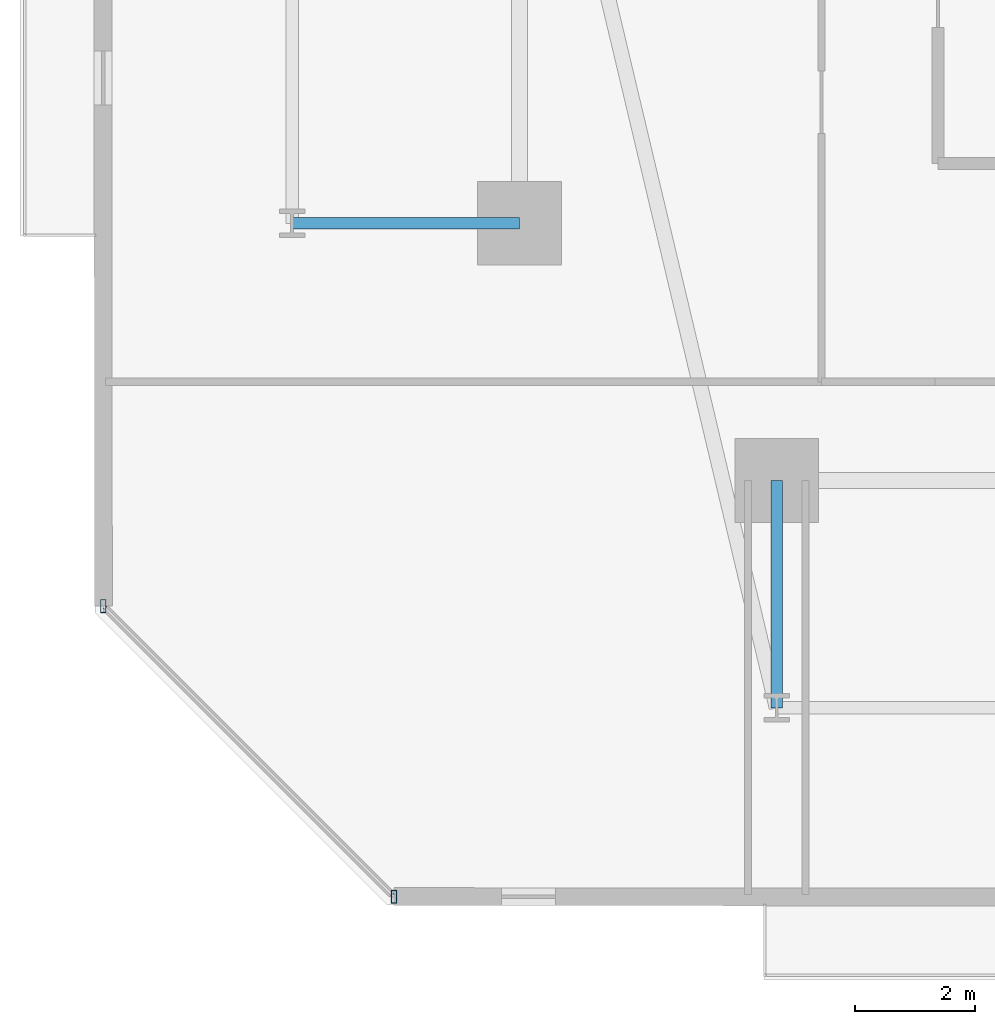
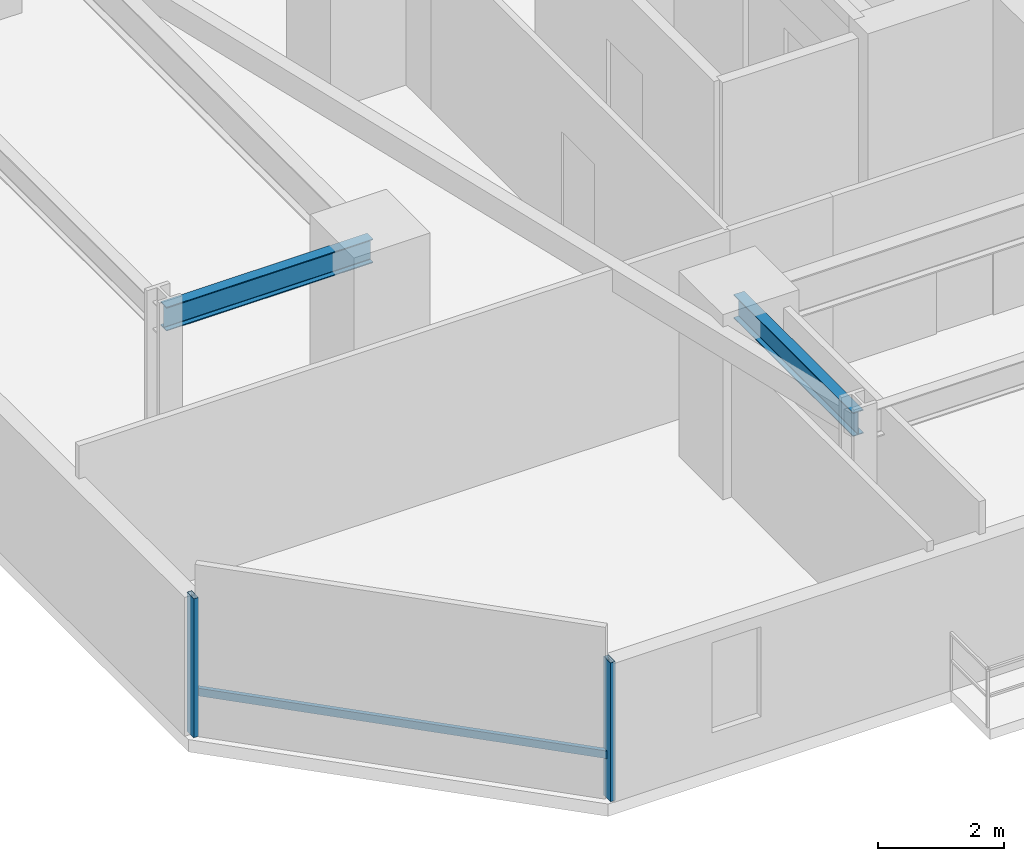
# One storey, part 3 of 33: 3 members, 2 beams, 1 element without a shape of its own.
"""IFC4 building model written with IfcOpenShell, lengths in metres."""

from ifc_helpers import new_model, si_unit, direction, frame, origin, origin_2d, place, context, subcontext, project, spatial, hollow_rectangle, i_section, extrude, material, material_profile, profile_set, type_object, element, aggregate, save


model = new_model("IFC4")

# Units and contexts
model_context = context("Model", 3, precision=1e-05, world=origin(), true_north=direction((0.0, 1.0)))
body_context = subcontext(model_context, "Body", "Model", "MODEL_VIEW")
ifc_project = project(units=[si_unit("LENGTHUNIT", "METRE"), si_unit("AREAUNIT", "SQUARE_METRE"), si_unit("VOLUMEUNIT", "CUBIC_METRE"), si_unit("PLANEANGLEUNIT", "RADIAN"), si_unit("MASSUNIT", "GRAM", prefix="KILO")], contexts=[model_context])

# Site, building, storey
site_placement = place(None, origin())
site = spatial("IfcSite", under=ifc_project, at=site_placement, CompositionType="ELEMENT")
building_placement = place(site_placement, origin())
building = spatial("IfcBuilding", under=site, at=building_placement, Name="Thornwick Lancets Civic Towers", CompositionType="ELEMENT")
storey_placement = place(building_placement, frame((0.0, 0.0, 42.300048828125)))
storey = spatial("IfcBuildingStorey", under=building, at=storey_placement, Name="L10", CompositionType="ELEMENT", Elevation=42.300048828125)

# Beams
ifc_material_1 = material(Name="Steel S355JR", Category="steel")
ifc_material_profile_1 = material_profile(ifc_material_1, i_section(OverallWidth=0.19189453125, OverallDepth=0.46337890625, WebThickness=0.010498046875, FlangeThickness=0.017578125, FilletRadius=0.01025390625, at=origin_2d()), Name="UKB 457x191x89")
ifc_profile_set_1 = profile_set([ifc_material_profile_1], Name="Steel S355JR")
beam_type = type_object("IfcBeamType", Name="BM_JOIST_457_89", PredefinedType="JOIST", material=ifc_profile_set_1)
for number, where, z_axis, x_axis, name in (
    (1, (12.5, 9.699951171875, 3.128173828125), (0.0, -1.0, 0.0), (1.0, 0.0, 0.0), "BM-RAD-L10-A01"),
    (2, (8.199951171875, 14.0, 3.128173828125), (-1.0, 0.0, 0.0), (0.0, -1.0, 0.0), "BM-RAD-L10-A10"),
):
    element("IfcBeam", number, at=place(storey_placement, frame(where, z_axis=z_axis, x_axis=x_axis)), inside=storey, type_object=beam_type, Name=name, PredefinedType="JOIST", context=body_context, shape_type="SweptSolid", body=[
        extrude(i_section(OverallWidth=0.19189453125, OverallDepth=0.46337890625, WebThickness=0.010498046875, FlangeThickness=0.017578125, FilletRadius=0.01025390625, at=origin_2d()), origin(), (0.0, 0.0, 1.0), 3.800048828125),
    ])

# Curtain wall, members
ifc_material_2 = material(Name="Low-zone chamfered-corner unitised glass curtain wall", Category="glass")
curtain_wall_type = type_object("IfcCurtainWallType", Name="CW_SYS_03", PredefinedType="NOTDEFINED", material=ifc_material_2)
curtain_wall_placement = place(storey_placement, origin())
curtain_wall = element("IfcCurtainWall", 3, at=curtain_wall_placement, inside=storey, type_object=curtain_wall_type, Name="L10 Curtain Wall CW-L10-A-E7", PredefinedType="NOTDEFINED")
ifc_material_3 = material(Name="Thermally broken bronze aluminium S355", Category="steel")
ifc_material_profile_2 = material_profile(ifc_material_3, hollow_rectangle(XDim=0.090087890625, YDim=0.219970703125, WallThickness=0.00634765625, at=origin_2d()), Name="RHS 220x90x6.3")
ifc_profile_set_2 = profile_set([ifc_material_profile_2], Name="Thermally broken bronze aluminium S355")
member_type_1 = type_object("IfcMemberType", Name="CW_MUL_220", PredefinedType="MULLION", material=ifc_profile_set_2)
member_1_placement = place(storey_placement, frame((1.242431640625, 7.600830078125, 0.0), z_axis=(0.0, 0.0, 1.0), x_axis=(1.0, 0.0, 0.0)))
member_1 = element("IfcMember", 4, at=member_1_placement, type_object=member_type_1, Name="CW-L10-A-E7 Mullion 0", PredefinedType="MULLION", context=body_context, shape_type="SweptSolid", body=[
    extrude(hollow_rectangle(XDim=0.090087890625, YDim=0.219970703125, WallThickness=0.00634765625, at=origin_2d()), origin(), (0.0, 0.0, 1.0), 2.699951171875),
])
member_2_placement = place(storey_placement, frame((6.100830078125, 2.742431640625, 0.0), z_axis=(0.0, 0.0, 1.0), x_axis=(1.0, 0.0, 0.0)))
member_2 = element("IfcMember", 5, at=member_2_placement, type_object=member_type_1, Name="CW-L10-A-E7 Mullion 1", PredefinedType="MULLION", context=body_context, shape_type="SweptSolid", body=[
    extrude(hollow_rectangle(XDim=0.090087890625, YDim=0.219970703125, WallThickness=0.00634765625, at=origin_2d()), origin(), (0.0, 0.0, 1.0), 2.699951171875),
])
ifc_material_profile_3 = material_profile(ifc_material_3, hollow_rectangle(XDim=0.074951171875, YDim=0.14990234375, WallThickness=0.0048828125, at=origin_2d()), Name="RHS 150x75x5")
ifc_profile_set_3 = profile_set([ifc_material_profile_3], Name="Thermally broken bronze aluminium S355")
member_type_2 = type_object("IfcMemberType", Name="CW_TRN_150", PredefinedType="USERDEFINED", material=ifc_profile_set_3)
member_3_placement = place(storey_placement, frame((1.256591796875, 7.5869140625, 0.849853515625), z_axis=(0.707106781187, -0.707106781187, 0.0), x_axis=(0.707106781187, 0.707106781187, 0.0)))
member_3 = element("IfcMember", 6, at=member_3_placement, type_object=member_type_2, Name="CW-L10-A-E7 Transom 0", ObjectType="TRANSOM", PredefinedType="USERDEFINED", context=body_context, shape_type="SweptSolid", body=[
    extrude(hollow_rectangle(XDim=0.074951171875, YDim=0.14990234375, WallThickness=0.0048828125, at=origin_2d()), origin(), (0.0, 0.0, 1.0), 6.8310546875),
])
aggregate(curtain_wall, [member_1, member_2, member_3])

save(model, "model.ifc")
